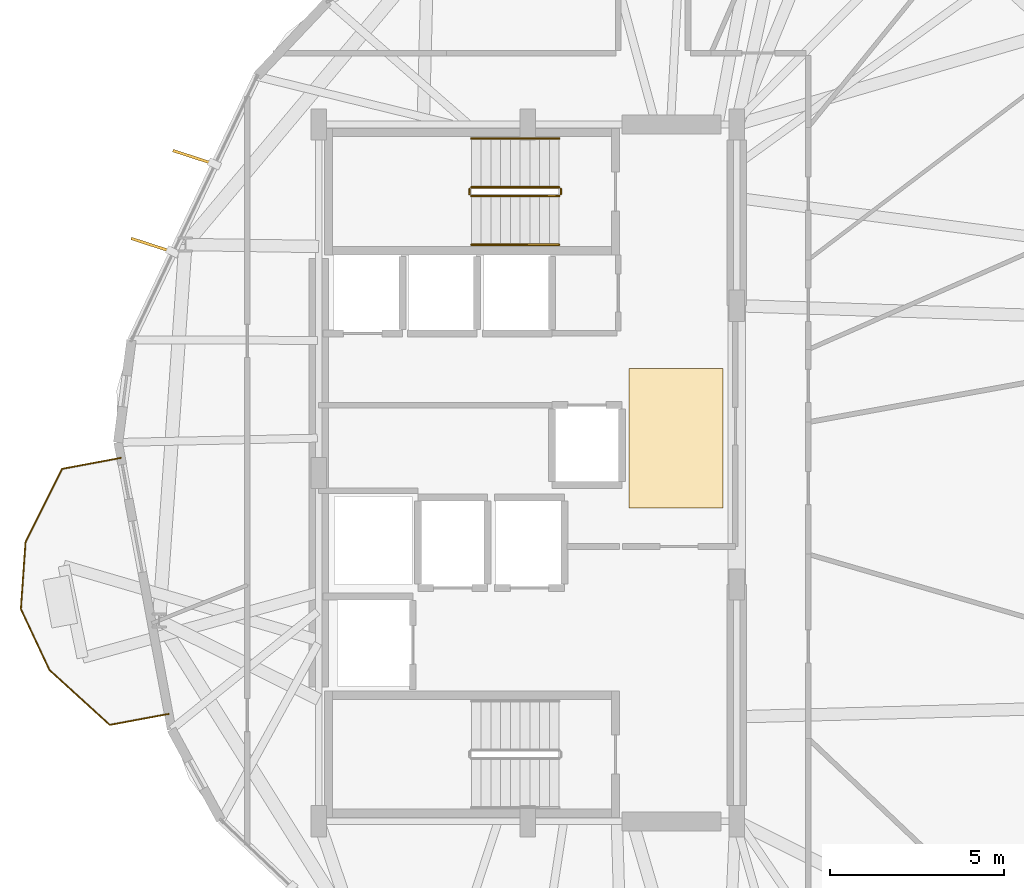
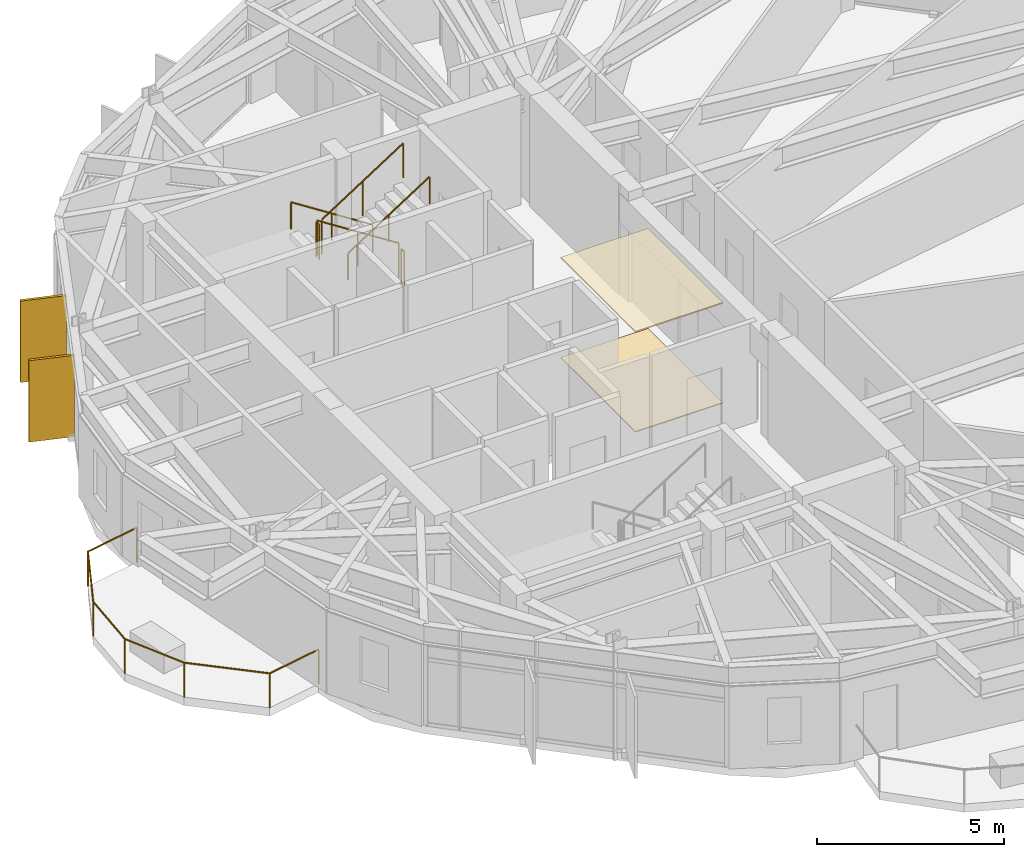
# One storey, part 22 of 23: 7 railings, 2 coverings, 2 shading devices.
"""IFC4 building model written with IfcOpenShell, lengths in metres."""

from ifc_helpers import new_model, si_unit, direction, frame, origin, origin_2d, place, context, subcontext, project, spatial, polyline, rectangle, circle, outline, extrude, material, layer, layer_set, type_object, element, save


model = new_model("IFC4")

# Units and contexts
model_context = context("Model", 3, precision=1e-05, world=origin(), true_north=direction((0.0, 1.0)))
body_context = subcontext(model_context, "Body", "Model", "MODEL_VIEW")
ifc_project = project(units=[si_unit("LENGTHUNIT", "METRE"), si_unit("AREAUNIT", "SQUARE_METRE"), si_unit("VOLUMEUNIT", "CUBIC_METRE"), si_unit("PLANEANGLEUNIT", "RADIAN"), si_unit("MASSUNIT", "GRAM", prefix="KILO")], contexts=[model_context])

# Site, building, storey
site_placement = place(None, origin())
site = spatial("IfcSite", under=ifc_project, at=site_placement, CompositionType="ELEMENT")
building_placement = place(site_placement, origin())
building = spatial("IfcBuilding", under=site, at=building_placement, Name="Soratama Intermodal Tower", CompositionType="ELEMENT")
storey_placement = place(building_placement, frame((0.0, 0.0, 139.0)))
storey = spatial("IfcBuildingStorey", under=building, at=storey_placement, Name="L33", CompositionType="ELEMENT", Elevation=139.0)

# Coverings
ifc_material_1 = material(Name="Perforated mineral acoustic ceiling", Category="concrete")
ifc_layer_1 = layer(ifc_material_1, 0.0400390625)
ifc_layer_set_1 = layer_set([ifc_layer_1], Name="Perforated mineral acoustic ceiling")
covering_type_1 = type_object("IfcCoveringType", Name="CV-CEIL-ACOUSTIC", PredefinedType="CEILING", material=ifc_layer_set_1)
covering_1_placement = place(storey_placement, frame((0.0, 0.0, 3.260009765625)))
element("IfcCovering", 1, at=covering_1_placement, inside=storey, type_object=covering_type_1, Name="L33 Acoustic Ceiling", PredefinedType="CEILING", context=body_context, shape_type="SweptSolid", body=[
    extrude(outline(polyline([(41.5, 24.0), (44.199951171875, 24.0), (44.199951171875, 28.0), (41.5, 28.0), (41.5, 24.0)])), origin(), (0.0, 0.0, 1.0), 0.0400390625),
])
ifc_material_2 = material(Name="Polished Andean stone terrazzo flooring", Category="masonry")
ifc_layer_2 = layer(ifc_material_2, 0.030029296875)
ifc_layer_set_2 = layer_set([ifc_layer_2], Name="Polished Andean stone terrazzo flooring")
covering_type_2 = type_object("IfcCoveringType", Name="CV-FLOR-TERRAZZO", PredefinedType="FLOORING", material=ifc_layer_set_2)
covering_2_placement = place(storey_placement, origin())
element("IfcCovering", 2, at=covering_2_placement, inside=storey, type_object=covering_type_2, Name="L33 Lobby Terrazzo Flooring", PredefinedType="FLOORING", context=body_context, shape_type="SweptSolid", body=[
    extrude(outline(polyline([(41.5, 24.0), (44.199951171875, 24.0), (44.199951171875, 28.0), (41.5, 28.0), (41.5, 24.0)])), origin(), (0.0, 0.0, 1.0), 0.030029296875),
])

# Railings
ifc_material_3 = material(Name="Laminated glass and stainless steel balustrade", Category="steel")
railing_type_1 = type_object("IfcRailingType", Name="RL-BAL-1150", PredefinedType="BALUSTRADE", material=ifc_material_3)
railing_1_placement = place(storey_placement, frame((28.294921875, 18.083251953125, 0.0)))
element("IfcRailing", 3, at=railing_1_placement, inside=storey, type_object=railing_type_1, Name="L33 Balcony Balustrade 3", PredefinedType="BALUSTRADE", context=body_context, shape_type="SweptSolid", body=[
    extrude(circle(Radius=0.02392578125, at=origin_2d()), frame((0.0, 0.0, 1.1259765625), z_axis=(-0.983062899973, -0.183268477093, 0.0), x_axis=(0.183268477093, -0.983062899973, 0.0)), (0.0, 0.0, 1.0), 1.7197265625),
    extrude(circle(Radius=0.02392578125, at=origin_2d()), frame((-1.690673828125, -0.315185546875, 1.1259765625), z_axis=(-0.739544150177, 0.673108052202, 0.0), x_axis=(-0.673108052202, -0.739544150177, 0.0)), (0.0, 0.0, 1.0), 2.344482421875),
    extrude(circle(Radius=0.02392578125, at=origin_2d()), frame((-3.424560546875, 1.262939453125, 1.1259765625), z_axis=(-0.42420710055, 0.905565202425, 0.0), x_axis=(-0.905565202425, -0.42420710055, 0.0)), (0.0, 0.0, 1.0), 1.930908203125),
    extrude(circle(Radius=0.02392578125, at=origin_2d()), frame((-4.24365234375, 3.011474609375, 1.1259765625), z_axis=(0.069413914062, 0.997587945263, 0.0), x_axis=(-0.997587945263, 0.069413914062, 0.0)), (0.0, 0.0, 1.0), 1.930908203125),
    extrude(circle(Radius=0.02392578125, at=origin_2d()), frame((-4.109619140625, 4.937744140625, 1.1259765625), z_axis=(0.447296908467, 0.894385529666, 0.0), x_axis=(-0.894385529666, 0.447296908467, 0.0)), (0.0, 0.0, 1.0), 2.34423828125),
    extrude(circle(Radius=0.02392578125, at=origin_2d()), frame((-3.06103515625, 7.034423828125, 1.1259765625), z_axis=(0.983067666985, 0.183242904718, 0.0), x_axis=(-0.183242904718, 0.983067666985, 0.0)), (0.0, 0.0, 1.0), 1.719970703125),
    extrude(circle(Radius=0.02099609375, at=origin_2d()), origin(), (0.0, 0.0, 1.0), 1.101806640625),
    extrude(circle(Radius=0.02099609375, at=origin_2d()), frame((-1.690673828125, -0.315185546875, 0.0)), (0.0, 0.0, 1.0), 1.101806640625),
    extrude(circle(Radius=0.02099609375, at=origin_2d()), frame((-3.424560546875, 1.262939453125, 0.0)), (0.0, 0.0, 1.0), 1.101806640625),
    extrude(circle(Radius=0.02099609375, at=origin_2d()), frame((-4.24365234375, 3.011474609375, 0.0)), (0.0, 0.0, 1.0), 1.101806640625),
    extrude(circle(Radius=0.02099609375, at=origin_2d()), frame((-4.109619140625, 4.937744140625, 0.0)), (0.0, 0.0, 1.0), 1.101806640625),
    extrude(circle(Radius=0.02099609375, at=origin_2d()), frame((-3.06103515625, 7.034423828125, 0.0)), (0.0, 0.0, 1.0), 1.101806640625),
    extrude(circle(Radius=0.02099609375, at=origin_2d()), frame((-1.3701171875, 7.349609375, 0.0)), (0.0, 0.0, 1.0), 1.101806640625),
])
ifc_material_4 = material(Name="Painted steel stair guardrail", Category="steel")
railing_type_2 = type_object("IfcRailingType", Name="RL-STAIR-GUARD", PredefinedType="GUARDRAIL", material=ifc_material_4)
railing_2_placement = place(storey_placement, frame((39.5, 33.199951171875, 0.179931640625)))
element("IfcRailing", 4, at=railing_2_placement, inside=storey, type_object=railing_type_2, Name="L33 ST-2 stair guard 1", PredefinedType="GUARDRAIL", context=body_context, shape_type="SweptSolid", body=[
    extrude(circle(Radius=0.02392578125, at=origin_2d()), frame((0.0, 0.0, 1.1259765625), z_axis=(-0.841162588446, 0.0, 0.540782303519), x_axis=(0.0, -1.0, 0.0)), (0.0, 0.0, 1.0), 2.995849609375),
    extrude(circle(Radius=0.02099609375, at=origin_2d()), origin(), (0.0, 0.0, 1.0), 1.101806640625),
    extrude(circle(Radius=0.02099609375, at=origin_2d()), frame((-1.260009765625, 0.0, 0.81005859375)), (0.0, 0.0, 1.0), 1.101806640625),
    extrude(circle(Radius=0.02099609375, at=origin_2d()), frame((-2.52001953125, 0.0, 1.6201171875)), (0.0, 0.0, 1.0), 1.101806640625),
])
railing_3_placement = place(storey_placement, frame((36.929931640625, 33.14990234375, 1.800048828125)))
element("IfcRailing", 5, at=railing_3_placement, inside=storey, type_object=railing_type_2, Name="L33 ST-2 stair guard 2", PredefinedType="GUARDRAIL", context=body_context, shape_type="SweptSolid", body=[
    extrude(circle(Radius=0.02392578125, at=origin_2d()), frame((0.0, 0.0, 1.1259765625), z_axis=(0.0, -1.0, 0.0), x_axis=(1.0, 0.0, 0.0)), (0.0, 0.0, 1.0), 0.14990234375),
    extrude(circle(Radius=0.02099609375, at=origin_2d()), origin(), (0.0, 0.0, 1.0), 1.101806640625),
    extrude(circle(Radius=0.02099609375, at=origin_2d()), frame((0.0, -0.14990234375, 0.0)), (0.0, 0.0, 1.0), 1.101806640625),
])
railing_4_placement = place(storey_placement, frame((36.97998046875, 32.949951171875, 1.97998046875)))
element("IfcRailing", 6, at=railing_4_placement, inside=storey, type_object=railing_type_2, Name="L33 ST-2 stair guard 3", PredefinedType="GUARDRAIL", context=body_context, shape_type="SweptSolid", body=[
    extrude(circle(Radius=0.02392578125, at=origin_2d()), frame((0.0, 0.0, 1.1259765625), z_axis=(0.841162588446, 0.0, 0.540782303519), x_axis=(0.0, 1.0, 0.0)), (0.0, 0.0, 1.0), 2.995849609375),
    extrude(circle(Radius=0.02099609375, at=origin_2d()), origin(), (0.0, 0.0, 1.0), 1.101806640625),
    extrude(circle(Radius=0.02099609375, at=origin_2d()), frame((1.260009765625, 0.0, 0.81005859375)), (0.0, 0.0, 1.0), 1.101806640625),
    extrude(circle(Radius=0.02099609375, at=origin_2d()), frame((2.52001953125, 0.0, 1.6201171875)), (0.0, 0.0, 1.0), 1.101806640625),
])
railing_5_placement = place(storey_placement, frame((39.550048828125, 33.14990234375, 0.0)))
element("IfcRailing", 7, at=railing_5_placement, inside=storey, type_object=railing_type_2, Name="L33 ST-2 stair guard 4", PredefinedType="GUARDRAIL", context=body_context, shape_type="SweptSolid", body=[
    extrude(circle(Radius=0.02392578125, at=origin_2d()), frame((0.0, 0.0, 1.1259765625), z_axis=(0.0, -1.0, 0.0), x_axis=(1.0, 0.0, 0.0)), (0.0, 0.0, 1.0), 0.14990234375),
    extrude(circle(Radius=0.02099609375, at=origin_2d()), origin(), (0.0, 0.0, 1.0), 1.101806640625),
    extrude(circle(Radius=0.02099609375, at=origin_2d()), frame((0.0, -0.14990234375, 0.0)), (0.0, 0.0, 1.0), 1.101806640625),
])
ifc_material_5 = material(Name="Brushed stainless steel handrail", Category="steel")
railing_type_3 = type_object("IfcRailingType", Name="RL-STAIR-HAND", PredefinedType="HANDRAIL", material=ifc_material_5)
railing_6_placement = place(storey_placement, frame((39.5, 34.60009765625, 0.179931640625)))
element("IfcRailing", 8, at=railing_6_placement, inside=storey, type_object=railing_type_3, Name="L33 ST-2 stair handrail 1", PredefinedType="HANDRAIL", context=body_context, shape_type="SweptSolid", body=[
    extrude(circle(Radius=0.02392578125, at=origin_2d()), frame((0.0, 0.0, 0.8759765625), z_axis=(-0.841162588446, 0.0, 0.540782303519), x_axis=(0.0, -1.0, 0.0)), (0.0, 0.0, 1.0), 2.995849609375),
    extrude(circle(Radius=0.02099609375, at=origin_2d()), origin(), (0.0, 0.0, 1.0), 0.851806640625),
    extrude(circle(Radius=0.02099609375, at=origin_2d()), frame((-1.260009765625, 0.0, 0.81005859375)), (0.0, 0.0, 1.0), 0.851806640625),
    extrude(circle(Radius=0.02099609375, at=origin_2d()), frame((-2.52001953125, 0.0, 1.6201171875)), (0.0, 0.0, 1.0), 0.851806640625),
])
railing_7_placement = place(storey_placement, frame((36.97998046875, 31.550048828125, 1.97998046875)))
element("IfcRailing", 9, at=railing_7_placement, inside=storey, type_object=railing_type_3, Name="L33 ST-2 stair handrail 2", PredefinedType="HANDRAIL", context=body_context, shape_type="SweptSolid", body=[
    extrude(circle(Radius=0.02392578125, at=origin_2d()), frame((0.0, 0.0, 0.8759765625), z_axis=(0.841162588446, 0.0, 0.540782303519), x_axis=(0.0, 1.0, 0.0)), (0.0, 0.0, 1.0), 2.995849609375),
    extrude(circle(Radius=0.02099609375, at=origin_2d()), origin(), (0.0, 0.0, 1.0), 0.851806640625),
    extrude(circle(Radius=0.02099609375, at=origin_2d()), frame((1.260009765625, 0.0, 0.81005859375)), (0.0, 0.0, 1.0), 0.851806640625),
    extrude(circle(Radius=0.02099609375, at=origin_2d()), frame((2.52001953125, 0.0, 1.6201171875)), (0.0, 0.0, 1.0), 0.851806640625),
])

# Shading devices
ifc_material_6 = material(Name="Champagne anodised aluminium solar fin", Category="aluminium")
ifc_layer_3 = layer(ifc_material_6, 0.080078125)
ifc_layer_set_3 = layer_set([ifc_layer_3], Name="Champagne anodised aluminium solar fin")
shading_device_type = type_object("IfcShadingDeviceType", Name="SH-FIN-1250", PredefinedType="USERDEFINED", material=ifc_layer_set_3)
for number, where, z_axis, x_axis, name in (
    (10, (29.011962890625, 34.05908203125, 0.02001953125), (0.0, 0.0, 1.0), (-0.950948591076, 0.309348956893, 0.0), "L33 Solar Fin F04-1"),
    (11, (27.8125, 31.537841796875, 0.02001953125), (0.0, 0.0, 1.0), (-0.950948591076, 0.309348956893, 0.0), "L33 Solar Fin F04-2"),
):
    element("IfcShadingDevice", number, at=place(storey_placement, frame(where, z_axis=z_axis, x_axis=x_axis)), inside=storey, type_object=shading_device_type, Name=name, ObjectType="FIN", PredefinedType="USERDEFINED", context=body_context, shape_type="SweptSolid", body=[
        extrude(rectangle(XDim=1.25, YDim=0.080078125, at=origin_2d()), origin(), (0.0, 0.0, 1.0), 2.658935546875),
    ])

save(model, "model.ifc")
